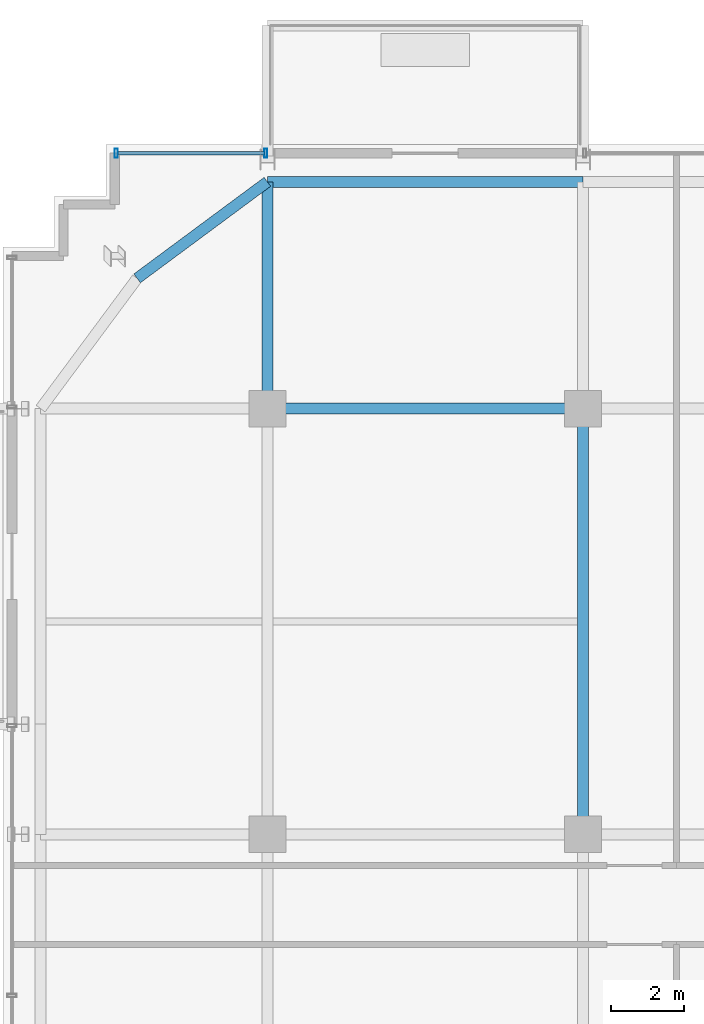
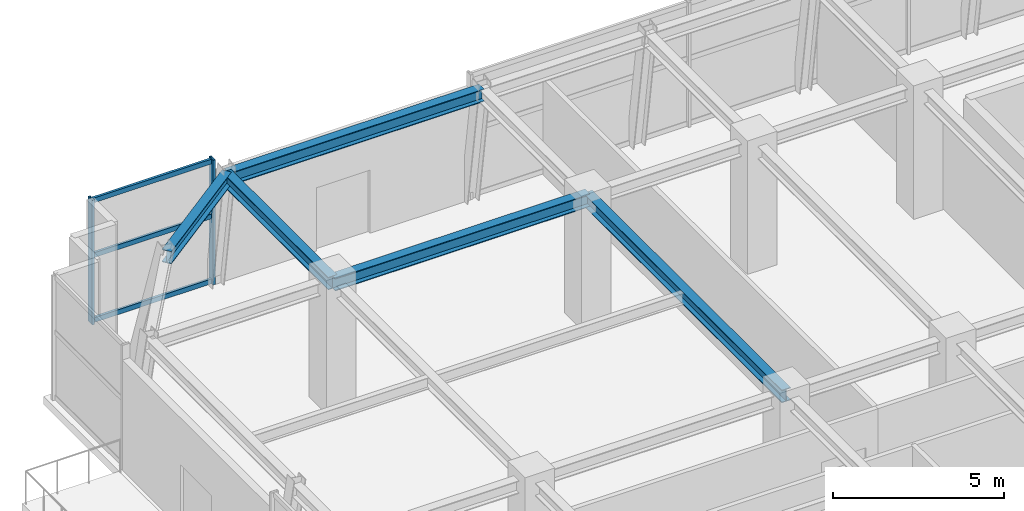
# One storey, part 15 of 28: 5 beams, 5 members, 1 element without a shape of its own.
"""IFC4 building model written with IfcOpenShell, lengths in metres."""

from ifc_helpers import new_model, si_unit, direction, frame, origin, origin_2d, place, context, subcontext, project, spatial, hollow_rectangle, i_section, extrude, source, transform, mapped, material, material_profile, profile_set, type_object, element, aggregate, save


model = new_model("IFC4")

# Units and contexts
model_context = context("Model", 3, precision=1e-05, world=origin(), true_north=direction((0.0, 1.0)))
body_context = subcontext(model_context, "Body", "Model", "MODEL_VIEW")
ifc_project = project(units=[si_unit("LENGTHUNIT", "METRE"), si_unit("AREAUNIT", "SQUARE_METRE"), si_unit("VOLUMEUNIT", "CUBIC_METRE"), si_unit("PLANEANGLEUNIT", "RADIAN"), si_unit("MASSUNIT", "GRAM", prefix="KILO")], contexts=[model_context])

# Site, building, storey
site_placement = place(None, origin())
site = spatial("IfcSite", under=ifc_project, at=site_placement, CompositionType="ELEMENT")
building_placement = place(site_placement, origin())
building = spatial("IfcBuilding", under=site, at=building_placement, Name="Nahalor Promenade Grand Hotel", CompositionType="ELEMENT")
storey_placement = place(building_placement, frame((0.0, 0.0, 256.699951171875)))
storey = spatial("IfcBuildingStorey", under=building, at=storey_placement, Name="L66", CompositionType="ELEMENT", Elevation=256.699951171875)

# Beams
ifc_material_1 = material(Name="Steel S355JR", Category="steel")
ifc_material_profile_1 = material_profile(ifc_material_1, i_section(OverallWidth=0.3, OverallDepth=0.45, WebThickness=0.014, FlangeThickness=0.026, at=origin_2d()), Name="HEB 450")
ifc_profile_set_1 = profile_set([ifc_material_profile_1], Name="Steel S355JR")
beam_type_1 = type_object("IfcBeamType", Name="Beam-Spandrel-HEB450", PredefinedType="SPANDREL", material=ifc_profile_set_1)
shared_shape_1 = source(origin(), body_context, "Body", "SweptSolid", [
    extrude(i_section(OverallWidth=0.3, OverallDepth=0.45, WebThickness=0.014, FlangeThickness=0.026, at=origin_2d()), origin(), (0.0, 0.0, 1.0), 8.60009765625),
])
beam_1_placement = place(storey_placement, frame((-17.0, 23.179931640625, 4.215087890625), z_axis=(1.0, 0.0, 0.0), x_axis=(0.0, 1.0, 0.0)))
element("IfcBeam", 1, at=beam_1_placement, inside=storey, type_object=beam_type_1, Name="BM-L66-SP-N-0", PredefinedType="SPANDREL", context=body_context, shape_type="MappedRepresentation", body=[
    mapped(shared_shape_1, transform((0.0, 0.0, 0.0), scale=1.0)),
])
ifc_material_profile_2 = material_profile(ifc_material_1, i_section(OverallWidth=0.3, OverallDepth=0.45, WebThickness=0.014, FlangeThickness=0.026, at=origin_2d()), Name="HEB 450")
ifc_profile_set_2 = profile_set([ifc_material_profile_2], Name="Steel S355JR")
beam_type_2 = type_object("IfcBeamType", Name="Beam-Girder-HEB450", PredefinedType="BEAM", material=ifc_profile_set_2)
shared_shape_2 = source(origin(), body_context, "Body", "SweptSolid", [
    extrude(i_section(OverallWidth=0.3, OverallDepth=0.45, WebThickness=0.014, FlangeThickness=0.026, at=origin_2d()), origin(), (0.0, 0.0, 1.0), 8.60009765625),
])
beam_2_placement = place(storey_placement, frame((-17.0, 17.0, 4.215087890625), z_axis=(1.0, 0.0, 0.0), x_axis=(0.0, 1.0, 0.0)))
element("IfcBeam", 2, at=beam_2_placement, inside=storey, type_object=beam_type_2, Name="BM-L66-GX-3-1", PredefinedType="BEAM", context=body_context, shape_type="MappedRepresentation", body=[
    mapped(shared_shape_2, transform((0.0, 0.0, 0.0), scale=1.0)),
])
shared_shape_3 = source(origin(), body_context, "Body", "SweptSolid", [
    extrude(i_section(OverallWidth=0.3, OverallDepth=0.45, WebThickness=0.014, FlangeThickness=0.026, at=origin_2d()), origin(), (0.0, 0.0, 1.0), 11.60009765625),
])
beam_3_placement = place(storey_placement, frame((-8.39990234375, 5.39990234375, 4.215087890625), z_axis=(0.0, 1.0, 0.0), x_axis=(-1.0, 0.0, 0.0)))
element("IfcBeam", 3, at=beam_3_placement, inside=storey, type_object=beam_type_2, Name="BM-L66-GY-1-3", PredefinedType="BEAM", context=body_context, shape_type="MappedRepresentation", body=[
    mapped(shared_shape_3, transform((0.0, 0.0, 0.0), scale=1.0)),
])
shared_shape_4 = source(origin(), body_context, "Body", "SweptSolid", [
    extrude(i_section(OverallWidth=0.3, OverallDepth=0.45, WebThickness=0.014, FlangeThickness=0.026, at=origin_2d()), origin(), (0.0, 0.0, 1.0), 6.179931640625),
])
beam_4_placement = place(storey_placement, frame((-17.0, 17.0, 4.215087890625), z_axis=(0.0, 1.0, 0.0), x_axis=(-1.0, 0.0, 0.0)))
element("IfcBeam", 4, at=beam_4_placement, inside=storey, type_object=beam_type_2, Name="BM-L66-GY-0-4", PredefinedType="BEAM", context=body_context, shape_type="MappedRepresentation", body=[
    mapped(shared_shape_4, transform((0.0, 0.0, 0.0), scale=1.0)),
])
shared_shape_5 = source(origin(), body_context, "Body", "SweptSolid", [
    extrude(i_section(OverallWidth=0.3, OverallDepth=0.45, WebThickness=0.014, FlangeThickness=0.026, at=origin_2d()), origin(), (0.0, 0.0, 1.0), 4.41796875),
])
beam_5_placement = place(storey_placement, frame((-17.0, 23.179931640625, 4.215087890625), z_axis=(-0.803533698711, -0.595259267073, 0.0), x_axis=(0.595259267073, -0.803533698711, 0.0)))
element("IfcBeam", 5, at=beam_5_placement, inside=storey, type_object=beam_type_1, Name="BM-L66-SPC-NW-1", PredefinedType="SPANDREL", context=body_context, shape_type="MappedRepresentation", body=[
    mapped(shared_shape_5, transform((0.0, 0.0, 0.0), scale=1.0)),
])

# Curtain wall, members
ifc_material_2 = material(Name="Anodised Bronze Aluminium EN AW-6063 T6", Category="aluminium")
curtain_wall_type = type_object("IfcCurtainWallType", Name="CW5 Sky-Lobby & Observation Panoramic Curtain Wall", PredefinedType="USERDEFINED", material=ifc_material_2)
curtain_wall_placement = place(storey_placement, origin())
curtain_wall = element("IfcCurtainWall", 6, at=curtain_wall_placement, inside=storey, type_object=curtain_wall_type, Name="L66 Curtain Wall CW-L66-N-1", ObjectType="UNITISED_CURTAIN_WALL", PredefinedType="USERDEFINED")
ifc_material_profile_3 = material_profile(ifc_material_2, hollow_rectangle(XDim=0.085, YDim=0.25, WallThickness=0.006, at=origin_2d()), Name="CWM 85x250x6")
ifc_profile_set_3 = profile_set([ifc_material_profile_3], Name="Anodised Bronze Aluminium EN AW-6063 T6")
member_type_1 = type_object("IfcMemberType", Name="CWM5 Panoramic Deep Mullion 85x250", PredefinedType="MULLION", material=ifc_profile_set_3)
shared_shape_6 = source(origin(), body_context, "Body", "SweptSolid", [
    extrude(hollow_rectangle(XDim=0.085, YDim=0.25, WallThickness=0.006, at=origin_2d()), origin(), (0.0, 0.0, 1.0), 4.43994140625),
])
member_1_placement = place(storey_placement, frame((-21.117431640625, 23.9599609375, 0.0), z_axis=(0.0, 0.0, 1.0), x_axis=(1.0, 0.0, 0.0)))
member_1 = element("IfcMember", 7, at=member_1_placement, type_object=member_type_1, Name="CW-L66-N-1 Mullion 0", PredefinedType="MULLION", context=body_context, shape_type="MappedRepresentation", body=[
    mapped(shared_shape_6, transform((0.0, 0.0, 0.0), scale=1.0)),
])
member_2_placement = place(storey_placement, frame((-17.04248046875, 23.9599609375, 0.0), z_axis=(0.0, 0.0, 1.0), x_axis=(1.0, 0.0, 0.0)))
member_2 = element("IfcMember", 8, at=member_2_placement, type_object=member_type_1, Name="CW-L66-N-1 Mullion 1", PredefinedType="MULLION", context=body_context, shape_type="MappedRepresentation", body=[
    mapped(shared_shape_6, transform((0.0, 0.0, 0.0), scale=1.0)),
])
ifc_material_profile_4 = material_profile(ifc_material_2, hollow_rectangle(XDim=0.085, YDim=0.17, WallThickness=0.005, at=origin_2d()), Name="CWT 85x170x5")
ifc_profile_set_4 = profile_set([ifc_material_profile_4], Name="Anodised Bronze Aluminium EN AW-6063 T6")
member_type_2 = type_object("IfcMemberType", Name="CWT5 Panoramic Transom 85x170", PredefinedType="USERDEFINED", material=ifc_profile_set_4)
shared_shape_7 = source(origin(), body_context, "Body", "SweptSolid", [
    extrude(hollow_rectangle(XDim=0.085, YDim=0.17, WallThickness=0.005, at=origin_2d()), origin(), (0.0, 0.0, 1.0), 3.989990234375),
])
member_3_placement = place(storey_placement, frame((-21.074951171875, 23.9599609375, 0.0849609375), z_axis=(1.0, 0.0, 0.0), x_axis=(0.0, 1.0, 0.0)))
member_3 = element("IfcMember", 9, at=member_3_placement, type_object=member_type_2, Name="CW-L66-N-1 Transom 0-0", ObjectType="TRANSOM", PredefinedType="USERDEFINED", context=body_context, shape_type="MappedRepresentation", body=[
    mapped(shared_shape_7, transform((0.0, 0.0, 0.0), scale=1.0)),
])
member_4_placement = place(storey_placement, frame((-21.074951171875, 23.9599609375, 2.400146484375), z_axis=(1.0, 0.0, 0.0), x_axis=(0.0, 1.0, 0.0)))
member_4 = element("IfcMember", 10, at=member_4_placement, type_object=member_type_2, Name="CW-L66-N-1 Transom 0-1", ObjectType="TRANSOM", PredefinedType="USERDEFINED", context=body_context, shape_type="MappedRepresentation", body=[
    mapped(shared_shape_7, transform((0.0, 0.0, 0.0), scale=1.0)),
])
member_5_placement = place(storey_placement, frame((-21.074951171875, 23.9599609375, 4.35498046875), z_axis=(1.0, 0.0, 0.0), x_axis=(0.0, 1.0, 0.0)))
member_5 = element("IfcMember", 11, at=member_5_placement, type_object=member_type_2, Name="CW-L66-N-1 Transom 0-2", ObjectType="TRANSOM", PredefinedType="USERDEFINED", context=body_context, shape_type="MappedRepresentation", body=[
    mapped(shared_shape_7, transform((0.0, 0.0, 0.0), scale=1.0)),
])
aggregate(curtain_wall, [member_1, member_2, member_3, member_4, member_5])

save(model, "model.ifc")
